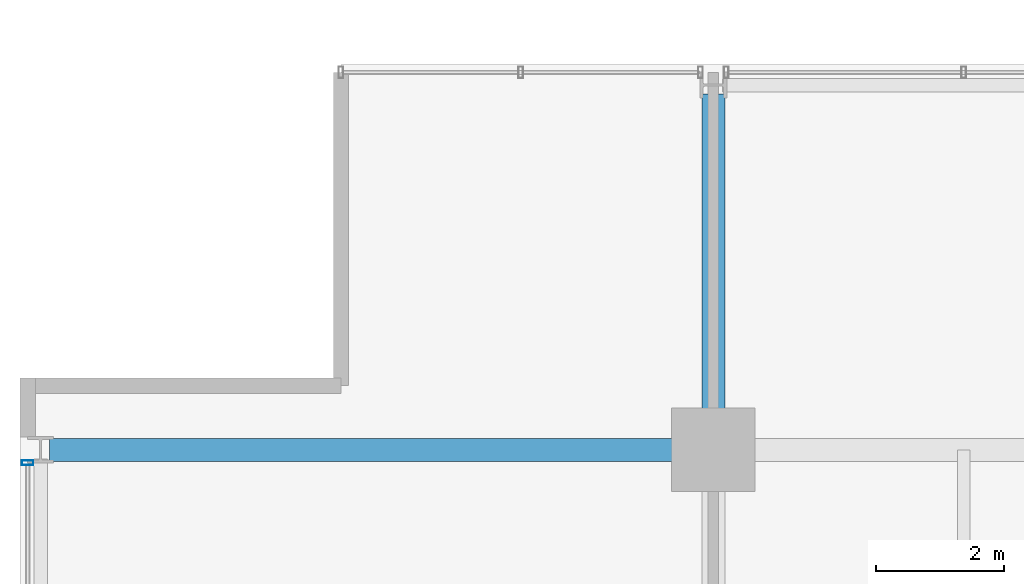
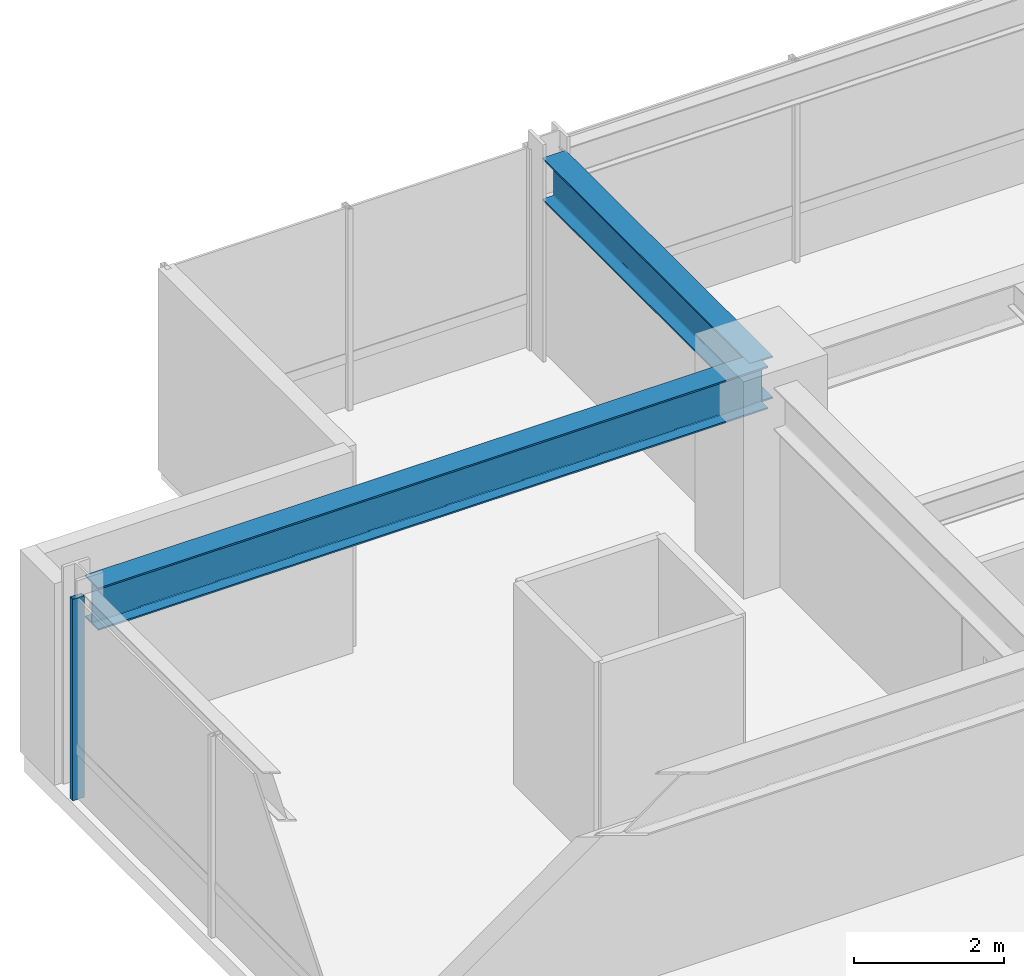
# One storey, part 19 of 34: 2 beams, 1 member, 1 element without a shape of its own.
"""IFC4 building model written with IfcOpenShell, lengths in metres."""

from ifc_helpers import new_model, si_unit, direction, frame, origin, origin_2d, place, context, subcontext, project, spatial, hollow_rectangle, i_section, extrude, material, layer, layer_set, material_profile, profile_set, type_object, element, aggregate, save


model = new_model("IFC4")

# Units and contexts
model_context = context("Model", 3, precision=1e-05, world=origin(), true_north=direction((0.0, 1.0)))
body_context = subcontext(model_context, "Body", "Model", "MODEL_VIEW")
ifc_project = project(units=[si_unit("LENGTHUNIT", "METRE"), si_unit("AREAUNIT", "SQUARE_METRE"), si_unit("VOLUMEUNIT", "CUBIC_METRE"), si_unit("PLANEANGLEUNIT", "RADIAN"), si_unit("MASSUNIT", "GRAM", prefix="KILO")], contexts=[model_context])

# Site, building, storey
site_placement = place(None, origin())
site = spatial("IfcSite", under=ifc_project, at=site_placement, CompositionType="ELEMENT")
building_placement = place(site_placement, origin())
building = spatial("IfcBuilding", under=site, at=building_placement, Name="Drelvath Grand Hotel", CompositionType="ELEMENT")
storey_placement = place(building_placement, frame((0.0, 0.0, 175.25)))
storey = spatial("IfcBuildingStorey", under=building, at=storey_placement, Name="L45", CompositionType="ELEMENT", Elevation=175.25)

# Curtain wall, member
ifc_material_1 = material(Name="Brushed Pale-Silver Anodised Aluminium Frame", Category="aluminium")
ifc_layer = layer(ifc_material_1, 0.199951171875)
ifc_layer_set = layer_set([ifc_layer], Name="Brushed Pale-Silver Anodised Aluminium Frame")
curtain_wall_type = type_object("IfcCurtainWallType", Name="Stick Curtain Wall CW-04 Brushed Silver Upper-Mid", PredefinedType="NOTDEFINED", material=ifc_layer_set)
curtain_wall_placement = place(storey_placement, origin())
curtain_wall = element("IfcCurtainWall", 1, at=curtain_wall_placement, inside=storey, type_object=curtain_wall_type, Name="L45 CW-04 Curtain Wall CW04-L45-WN2", PredefinedType="NOTDEFINED")
ifc_material_profile_1 = material_profile(ifc_material_1, hollow_rectangle(XDim=0.074951171875, YDim=0.179931640625, WallThickness=0.0048828125, at=origin_2d()), Name="HSS180X75X5")
ifc_profile_set_1 = profile_set([ifc_material_profile_1], Name="Brushed Pale-Silver Anodised Aluminium Frame")
member_type = type_object("IfcMemberType", Name="Curtain Wall Vertical Mullion CW-04 HSS180X75X5", PredefinedType="MULLION", material=ifc_profile_set_1)
member_placement = place(storey_placement, frame((-26.8798828125, 43.0, 0.0), z_axis=(0.0, 0.0, 1.0), x_axis=(0.0, 1.0, 0.0)))
member = element("IfcMember", 2, at=member_placement, type_object=member_type, Name="CW04-L45-WN2 Mullion 3", PredefinedType="MULLION", context=body_context, shape_type="SweptSolid", body=[
    extrude(hollow_rectangle(XDim=0.074951171875, YDim=0.179931640625, WallThickness=0.0048828125, at=origin_2d()), origin(), (0.0, 0.0, 1.0), 3.2900390625),
])
aggregate(curtain_wall, [member])

# Beams
ifc_material_2 = material(Name="Steel ASTM A992 Gr 50", Category="steel")
ifc_material_profile_2 = material_profile(ifc_material_2, i_section(OverallWidth=0.354736328125, OverallDepth=0.695556640625, WebThickness=0.015380859375, FlangeThickness=0.025146484375, FilletRadius=0.02392578125, at=origin_2d()), Name="W27X146")
ifc_profile_set_2 = profile_set([ifc_material_profile_2], Name="Steel ASTM A992 Gr 50")
beam_type = type_object("IfcBeamType", Name="Primary Floor Girder W27X146", PredefinedType="BEAM", material=ifc_profile_set_2)
beam_1_placement = place(storey_placement, frame((-26.5400390625, 43.199951171875, 2.9423828125), z_axis=(1.0, 0.0, 0.0), x_axis=(0.0, 1.0, 0.0)))
element("IfcBeam", 3, at=beam_1_placement, inside=storey, type_object=beam_type, Name="L45 West Grid Girder G", PredefinedType="BEAM", context=body_context, shape_type="SweptSolid", body=[
    extrude(i_section(OverallWidth=0.354736328125, OverallDepth=0.695556640625, WebThickness=0.015380859375, FlangeThickness=0.025146484375, FilletRadius=0.02392578125, at=origin_2d()), origin(), (0.0, 0.0, 1.0), 10.340087890625),
])
beam_2_placement = place(storey_placement, frame((-16.199951171875, 43.199951171875, 2.9423828125), z_axis=(0.0, 1.0, 0.0), x_axis=(-1.0, 0.0, 0.0)))
element("IfcBeam", 4, at=beam_2_placement, inside=storey, type_object=beam_type, Name="L45 North Grid Girder 3", PredefinedType="BEAM", context=body_context, shape_type="SweptSolid", body=[
    extrude(i_section(OverallWidth=0.354736328125, OverallDepth=0.695556640625, WebThickness=0.015380859375, FlangeThickness=0.025146484375, FilletRadius=0.02392578125, at=origin_2d()), origin(), (0.0, 0.0, 1.0), 5.5400390625),
])

save(model, "model.ifc")
